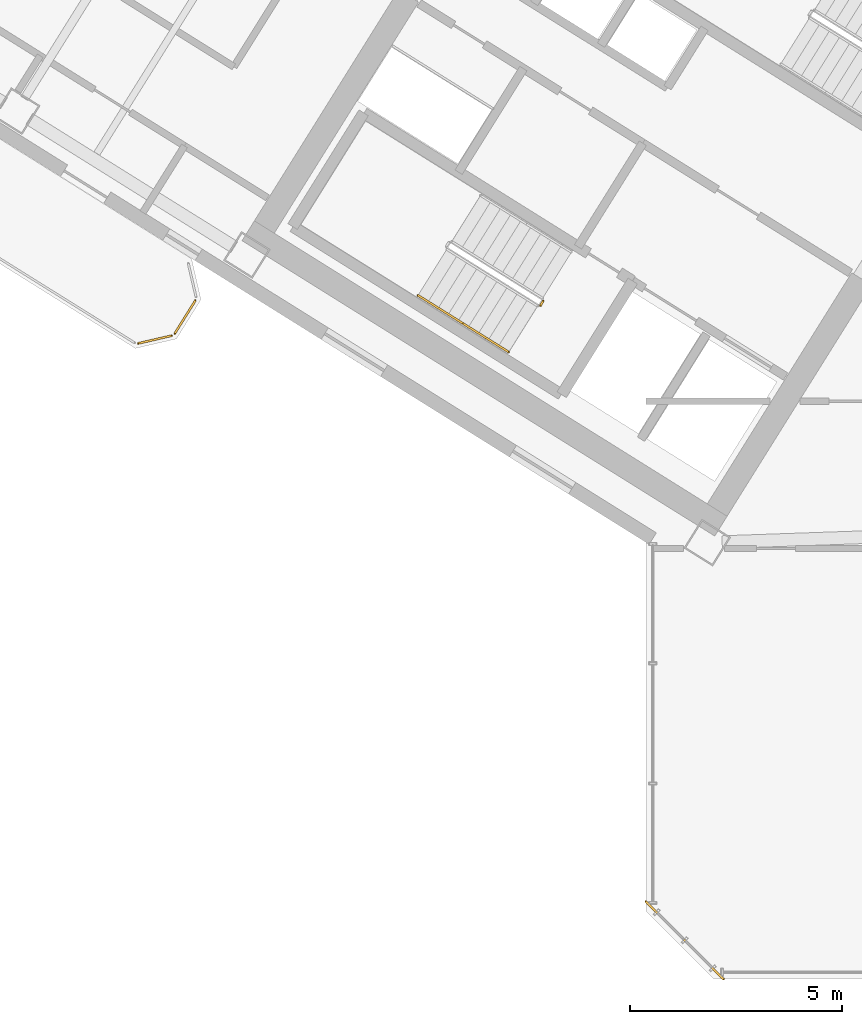
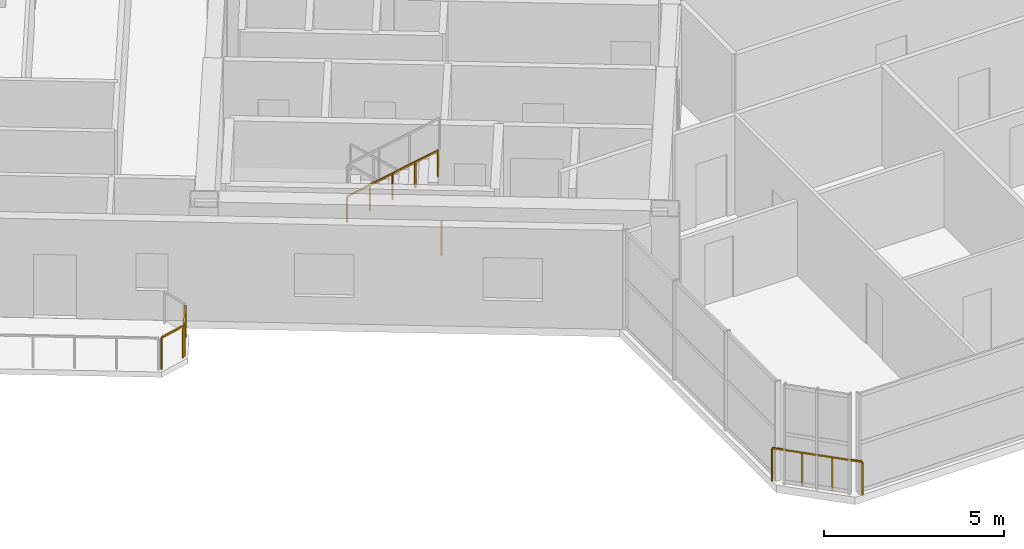
# One storey, part 17 of 20: 6 railings.
"""IFC4 building model written with IfcOpenShell, lengths in metres."""

from ifc_helpers import new_model, si_unit, direction, frame, origin, origin_2d, place, context, subcontext, project, spatial, rectangle, extrude, source, transform, mapped, material, type_object, element, save


model = new_model("IFC4")

# Units and contexts
model_context = context("Model", 3, precision=1e-05, world=origin(), true_north=direction((0.0, 1.0)))
body_context = subcontext(model_context, "Body", "Model", "MODEL_VIEW")
ifc_project = project(units=[si_unit("LENGTHUNIT", "METRE"), si_unit("AREAUNIT", "SQUARE_METRE"), si_unit("VOLUMEUNIT", "CUBIC_METRE"), si_unit("PLANEANGLEUNIT", "RADIAN"), si_unit("MASSUNIT", "GRAM", prefix="KILO")], contexts=[model_context])

# Site, building, storey
site_placement = place(None, origin())
site = spatial("IfcSite", under=ifc_project, at=site_placement, CompositionType="ELEMENT")
building_placement = place(site_placement, origin())
building = spatial("IfcBuilding", under=site, at=building_placement, Name="Tlacorven Tower", CompositionType="ELEMENT")
storey_placement = place(building_placement, frame((0.0, 0.0, 204.0)))
storey = spatial("IfcBuildingStorey", under=building, at=storey_placement, Name="L51", CompositionType="ELEMENT", Elevation=204.0)

# Railings
ifc_material = material(Name="Aluminium and painted steel balustrade", Category="steel")
railing_type_1 = type_object("IfcRailingType", Name="RL-BAL-1100", PredefinedType="BALUSTRADE", material=ifc_material)
shared_shape_1 = source(origin(), body_context, "Body", "SweptSolid", [
    extrude(rectangle(XDim=0.048095703125, YDim=0.048095703125, at=origin_2d()), frame((0.0, 0.0, 1.076171875), z_axis=(-0.52987865805, -0.848073468364, 0.0), x_axis=(0.848073468364, -0.52987865805, 0.0)), (0.0, 0.0, 1.0), 0.912353515625),
    extrude(rectangle(XDim=0.0419921875, YDim=0.0419921875, at=origin_2d()), origin(), (0.0, 0.0, 1.0), 1.052001953125),
    extrude(rectangle(XDim=0.0419921875, YDim=0.0419921875, at=origin_2d()), frame((-0.4833984375, -0.773681640625, 0.0)), (0.0, 0.0, 1.0), 1.052001953125),
])
railing_1_placement = place(storey_placement, frame((20.976318359375, 17.793701171875, 0.0)))
element("IfcRailing", 1, at=railing_1_placement, inside=storey, type_object=railing_type_1, Name="BAL-L51-W-OUT Guard Railing 2", PredefinedType="BALUSTRADE", context=body_context, shape_type="MappedRepresentation", body=[
    mapped(shared_shape_1, transform((0.0, 0.0, 0.0), scale=1.0)),
])
shared_shape_2 = source(origin(), body_context, "Body", "SweptSolid", [
    extrude(rectangle(XDim=0.048095703125, YDim=0.048095703125, at=origin_2d()), frame((0.0, 0.0, 1.076171875), z_axis=(-0.974345290916, -0.225058334816, 0.0), x_axis=(0.225058334816, -0.974345290916, 0.0)), (0.0, 0.0, 1.0), 0.80712890625),
    extrude(rectangle(XDim=0.0419921875, YDim=0.0419921875, at=origin_2d()), origin(), (0.0, 0.0, 1.0), 1.052001953125),
    extrude(rectangle(XDim=0.0419921875, YDim=0.0419921875, at=origin_2d()), frame((-0.786376953125, -0.181640625, 0.0)), (0.0, 0.0, 1.0), 1.052001953125),
])
railing_2_placement = place(storey_placement, frame((20.417724609375, 16.966552734375, 0.0)))
element("IfcRailing", 2, at=railing_2_placement, inside=storey, type_object=railing_type_1, Name="BAL-L51-W-OUT Guard Railing 3", PredefinedType="BALUSTRADE", context=body_context, shape_type="MappedRepresentation", body=[
    mapped(shared_shape_2, transform((0.0, 0.0, 0.0), scale=1.0)),
])
railing_type_2 = type_object("IfcRailingType", Name="RL-GRD-1150", PredefinedType="GUARDRAIL", material=ifc_material)
shared_shape_3 = source(origin(), body_context, "Body", "SweptSolid", [
    extrude(rectangle(XDim=0.048095703125, YDim=0.048095703125, at=origin_2d()), frame((0.0, 0.0, 1.1259765625), z_axis=(-0.707106781187, 0.707106781187, 0.0), x_axis=(-0.707106781187, -0.707106781187, 0.0)), (0.0, 0.0, 1.0), 2.590087890625),
    extrude(rectangle(XDim=0.0419921875, YDim=0.0419921875, at=origin_2d()), origin(), (0.0, 0.0, 1.0), 1.101806640625),
    extrude(rectangle(XDim=0.0419921875, YDim=0.0419921875, at=origin_2d()), frame((-0.610595703125, 0.610595703125, 0.0)), (0.0, 0.0, 1.0), 1.101806640625),
    extrude(rectangle(XDim=0.0419921875, YDim=0.0419921875, at=origin_2d()), frame((-1.220947265625, 1.220947265625, 0.0)), (0.0, 0.0, 1.0), 1.101806640625),
    extrude(rectangle(XDim=0.0419921875, YDim=0.0419921875, at=origin_2d()), frame((-1.83154296875, 1.83154296875, 0.0)), (0.0, 0.0, 1.0), 1.101806640625),
])
railing_3_placement = place(storey_placement, frame((33.428955078125, 1.79736328125, 0.0)))
element("IfcRailing", 3, at=railing_3_placement, inside=storey, type_object=railing_type_2, Name="L51 Knuckle Glazed Sill Guard 1", PredefinedType="GUARDRAIL", context=body_context, shape_type="MappedRepresentation", body=[
    mapped(shared_shape_3, transform((0.0, 0.0, 0.0), scale=1.0)),
])
railing_type_3 = type_object("IfcRailingType", Name="RL-GRD-1100", PredefinedType="GUARDRAIL", material=ifc_material)
shared_shape_4 = source(origin(), body_context, "Body", "SweptSolid", [
    extrude(rectangle(XDim=0.048095703125, YDim=0.048095703125, at=origin_2d()), frame((0.0, 0.0, 1.076171875), z_axis=(-0.529084052582, -0.848569422795, 0.0), x_axis=(0.848569422795, -0.529084052582, 0.0)), (0.0, 0.0, 1.0), 0.119873046875),
    extrude(rectangle(XDim=0.0419921875, YDim=0.0419921875, at=origin_2d()), origin(), (0.0, 0.0, 1.0), 1.052001953125),
    extrude(rectangle(XDim=0.0419921875, YDim=0.0419921875, at=origin_2d()), frame((-0.0634765625, -0.101806640625, 0.0)), (0.0, 0.0, 1.0), 1.052001953125),
])
railing_4_placement = place(storey_placement, frame((29.176513671875, 17.782958984375, 0.0)))
element("IfcRailing", 4, at=railing_4_placement, inside=storey, type_object=railing_type_3, Name="L51 ST-W1 stair guard 4", PredefinedType="GUARDRAIL", context=body_context, shape_type="MappedRepresentation", body=[
    mapped(shared_shape_4, transform((0.0, 0.0, 0.0), scale=1.0)),
])
railing_type_4 = type_object("IfcRailingType", Name="RL-HND-0900", PredefinedType="HANDRAIL", material=ifc_material)
shared_shape_5 = source(origin(), body_context, "Body", "SweptSolid", [
    extrude(rectangle(XDim=0.048095703125, YDim=0.048095703125, at=origin_2d()), frame((0.0, 0.0, 0.8759765625), z_axis=(0.713359751793, -0.4457479829, 0.540764828981), x_axis=(0.529911857636, 0.848052724267, 0.0)), (0.0, 0.0, 1.0), 1.498046875),
    extrude(rectangle(XDim=0.0419921875, YDim=0.0419921875, at=origin_2d()), origin(), (0.0, 0.0, 1.0), 0.851806640625),
    extrude(rectangle(XDim=0.0419921875, YDim=0.0419921875, at=origin_2d()), frame((0.5341796875, -0.333984375, 0.405029296875)), (0.0, 0.0, 1.0), 0.851806640625),
    extrude(rectangle(XDim=0.0419921875, YDim=0.0419921875, at=origin_2d()), frame((1.068603515625, -0.667724609375, 0.81005859375)), (0.0, 0.0, 1.0), 0.851806640625),
])
railing_5_placement = place(storey_placement, frame((26.228759765625, 17.915283203125, 1.97998046875)))
element("IfcRailing", 5, at=railing_5_placement, inside=storey, type_object=railing_type_4, Name="L51 ST-W1 stair handrail 3", PredefinedType="HANDRAIL", context=body_context, shape_type="MappedRepresentation", body=[
    mapped(shared_shape_5, transform((0.0, 0.0, 0.0), scale=1.0)),
])
shared_shape_6 = source(origin(), body_context, "Body", "SweptSolid", [
    extrude(rectangle(XDim=0.048095703125, YDim=0.048095703125, at=origin_2d()), frame((0.0, 0.0, 0.8759765625), z_axis=(0.713279695859, -0.445799809912, 0.540827703579), x_axis=(0.529998940003, 0.847998304005, 0.0)), (0.0, 0.0, 1.0), 1.497802734375),
    extrude(rectangle(XDim=0.0419921875, YDim=0.0419921875, at=origin_2d()), origin(), (0.0, 0.0, 1.0), 0.851806640625),
    extrude(rectangle(XDim=0.0419921875, YDim=0.0419921875, at=origin_2d()), frame((0.5341796875, -0.333984375, 0.405029296875)), (0.0, 0.0, 1.0), 0.851806640625),
    extrude(rectangle(XDim=0.0419921875, YDim=0.0419921875, at=origin_2d()), frame((1.068359375, -0.667724609375, 0.81005859375)), (0.0, 0.0, 1.0), 0.851806640625),
])
railing_6_placement = place(storey_placement, frame((27.29736328125, 17.24755859375, 2.7900390625)))
element("IfcRailing", 6, at=railing_6_placement, inside=storey, type_object=railing_type_4, Name="L51 ST-W1 stair handrail 4", PredefinedType="HANDRAIL", context=body_context, shape_type="MappedRepresentation", body=[
    mapped(shared_shape_6, transform((0.0, 0.0, 0.0), scale=1.0)),
])

save(model, "model.ifc")
